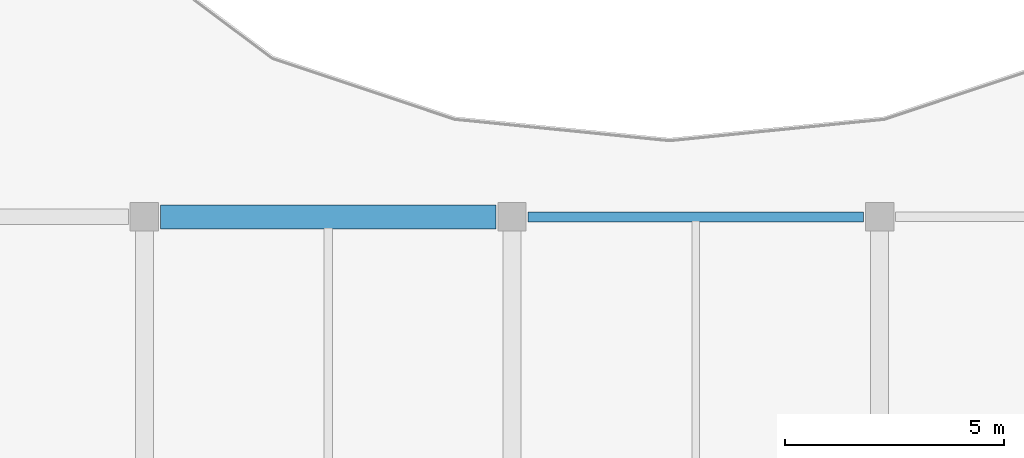
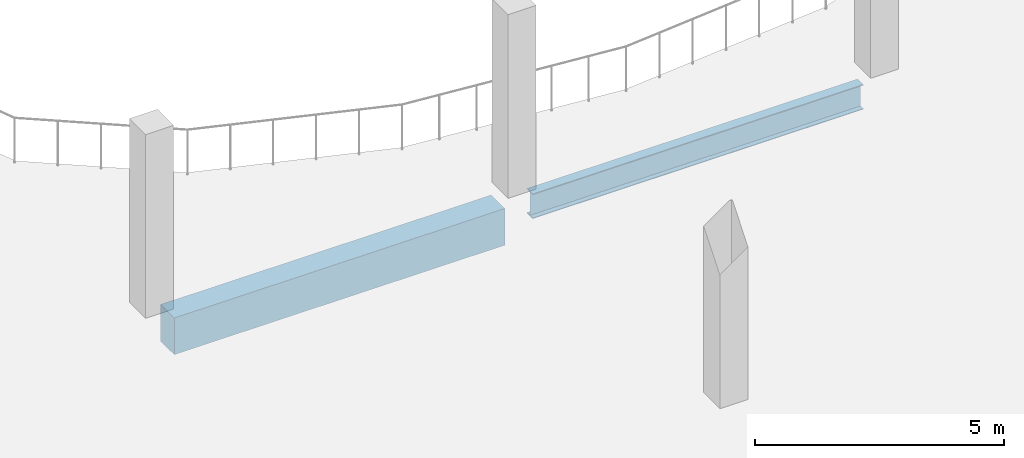
# One storey, part 13 of 50: 2 beams.
"""IFC4 building model written with IfcOpenShell, lengths in metres."""

from ifc_helpers import new_model, si_unit, direction, frame, origin, origin_2d, place, context, subcontext, project, spatial, rectangle, i_section, extrude, material, material_profile, profile_set, type_object, element, save


model = new_model("IFC4")

# Units and contexts
model_context = context("Model", 3, precision=1e-05, world=origin(), true_north=direction((0.0, 1.0)))
body_context = subcontext(model_context, "Body", "Model", "MODEL_VIEW")
ifc_project = project(units=[si_unit("LENGTHUNIT", "METRE"), si_unit("AREAUNIT", "SQUARE_METRE"), si_unit("VOLUMEUNIT", "CUBIC_METRE"), si_unit("PLANEANGLEUNIT", "RADIAN"), si_unit("MASSUNIT", "GRAM", prefix="KILO")], contexts=[model_context])

# Site, building, storey
site_placement = place(None, origin())
site = spatial("IfcSite", under=ifc_project, at=site_placement, CompositionType="ELEMENT")
building_placement = place(site_placement, origin())
building = spatial("IfcBuilding", under=site, at=building_placement, Name="Solvento Point Concert Hall", CompositionType="ELEMENT")
storey_placement = place(building_placement, frame((0.0, 0.0, 15.0)))
storey = spatial("IfcBuildingStorey", under=building, at=storey_placement, Name="L03", CompositionType="ELEMENT", Elevation=15.0)

# Beams
ifc_material_1 = material(Name="Structural Steel ASTM A992 Grade 50", Category="steel")
ifc_material_profile_1 = material_profile(ifc_material_1, i_section(OverallWidth=0.228515625, OverallDepth=0.60791015625, WebThickness=0.01123046875, FlangeThickness=0.017333984375, at=origin_2d()), Name="W24X76")
ifc_profile_set_1 = profile_set([ifc_material_profile_1], Name="Structural Steel ASTM A992 Grade 50")
beam_type_1 = type_object("IfcBeamType", Name="Beam_W24X76", PredefinedType="BEAM", material=ifc_profile_set_1)
beam_1_placement = place(storey_placement, frame((57.968994140625, 34.0, -0.568115234375), z_axis=(1.0, 0.0, 0.0), x_axis=(0.0, 1.0, 0.0)))
element("IfcBeam", 1, at=beam_1_placement, inside=storey, type_object=beam_type_1, Name="Primary girder B-42 L03", PredefinedType="BEAM", context=body_context, shape_type="SweptSolid", body=[
    extrude(i_section(OverallWidth=0.228515625, OverallDepth=0.60791015625, WebThickness=0.01123046875, FlangeThickness=0.017333984375, at=origin_2d()), origin(), (0.0, 0.0, 1.0), 7.662109375),
])
ifc_material_2 = material(Name="Concrete C35/45", Category="concrete")
ifc_material_profile_2 = material_profile(ifc_material_2, rectangle(XDim=0.550048828125, YDim=0.89990234375, at=origin_2d()), Name="RC-BM-550X900")
ifc_profile_set_2 = profile_set([ifc_material_profile_2], Name="Concrete C35/45")
beam_type_2 = type_object("IfcBeamType", Name="Girder_RC_550x900", PredefinedType="USERDEFINED", material=ifc_profile_set_2)
beam_2_placement = place(storey_placement, frame((49.569091796875, 34.0, -0.714111328125), z_axis=(1.0, 0.0, 0.0), x_axis=(0.0, 1.0, 0.0)))
element("IfcBeam", 2, at=beam_2_placement, inside=storey, type_object=beam_type_2, Name="Primary girder B-39 L03", ObjectType="GIRDER", PredefinedType="USERDEFINED", context=body_context, shape_type="SweptSolid", body=[
    extrude(rectangle(XDim=0.550048828125, YDim=0.89990234375, at=origin_2d()), origin(), (0.0, 0.0, 1.0), 7.661865234375),
])

save(model, "model.ifc")
